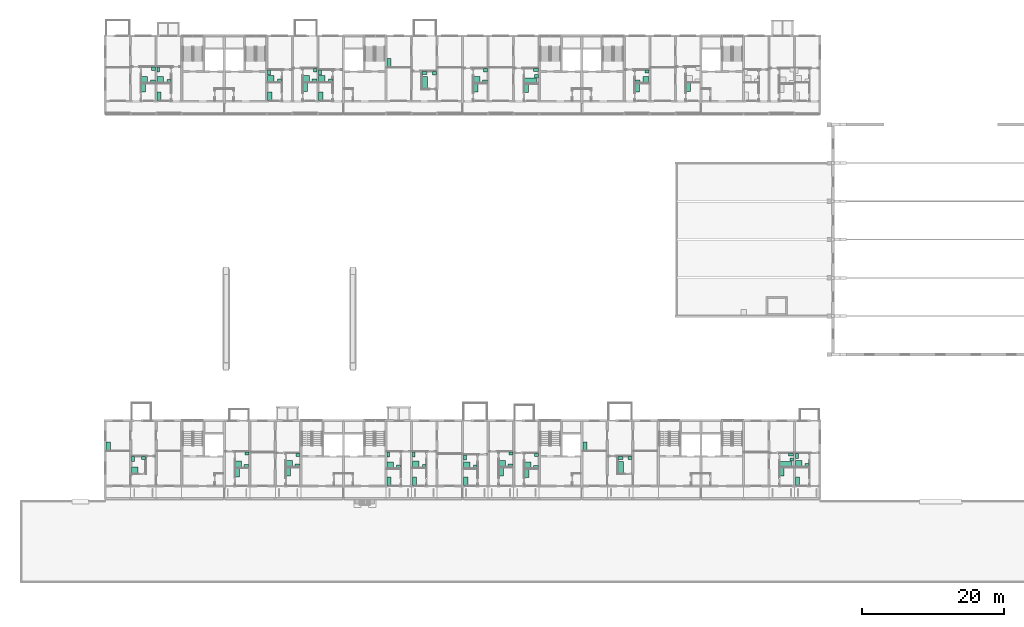
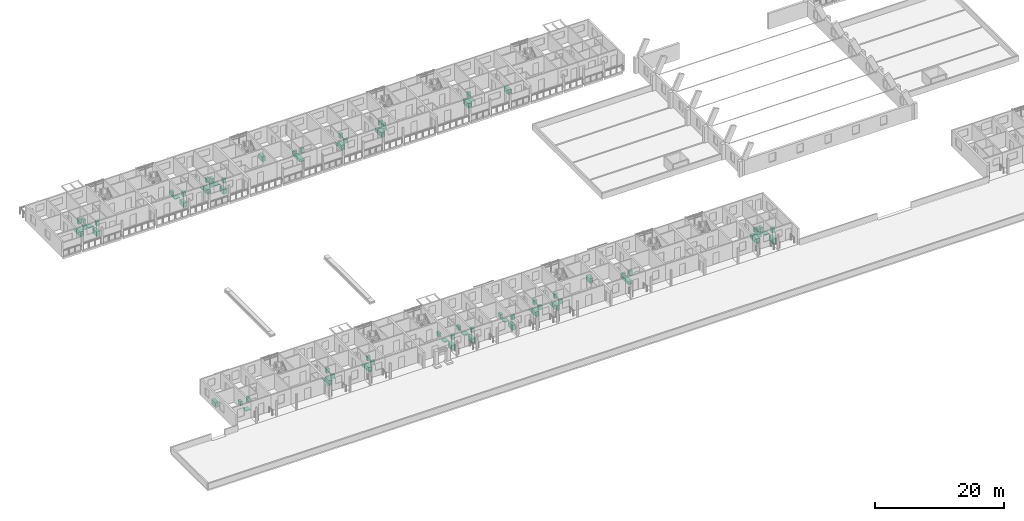
# One storey, part 113 of 115: 81 sanitary terminals.
"""IFC4 building model written with IfcOpenShell, lengths in metres."""

import ifcopenshell
import ifcopenshell.guid

model = None  # the IFC model being written
_history = None  # IfcOwnerHistory: only IFC2X3 demands one
_inside = {}  # id of a spatial element -> (the spatial element, [elements in it])
_under = {}  # id of a project, library or spatial element -> (it, [spatial elements below it])
_declared = {}  # id of a project -> (the project, [libraries it declares])
_typed = {}  # id of a type object -> (the type object, [elements of that type])
_made_of = {}  # id of a material, layer set ... -> (it, [elements and type objects made of it])


def new_model(schema):
    """Start an empty IFC model of exactly this schema.

    Asked for "IFC4X3", IfcOpenShell would pick the latest addendum, in which some entities
    have other attributes; the version numbers below select the first issue.
    IFC2X3 requires an IfcOwnerHistory on every rooted entity: one is made here for all.
    """
    global model, _history
    if schema == "IFC4X3":
        model = ifcopenshell.file(schema_version=(4, 3, 0, 0))
    else:
        model = ifcopenshell.file(schema=schema)
    _inside.clear()
    _under.clear()
    _declared.clear()
    _typed.clear()
    _made_of.clear()
    _history = None
    if model.schema == "IFC2X3":
        org = make("IfcOrganization", Name="unknown")
        user = make(
            "IfcPersonAndOrganization",
            ThePerson=make("IfcPerson", FamilyName="unknown"),
            TheOrganization=org,
        )
        app = make(
            "IfcApplication",
            ApplicationDeveloper=org,
            Version="unknown",
            ApplicationFullName="unknown",
            ApplicationIdentifier="unknown",
        )
        _history = make(
            "IfcOwnerHistory",
            OwningUser=user,
            OwningApplication=app,
            ChangeAction="ADDED",
            CreationDate=0,
        )
    return model


def make(cls, **values):
    """One entity of the class cls with the attributes given. An attribute that is None is left unset."""
    return model.create_entity(
        cls, **{name: value for name, value in values.items() if value is not None}
    )


def rooted(cls, **values):
    """An entity with a GlobalId (a new one), such as an element, a storey or a relation."""
    return make(cls, GlobalId=ifcopenshell.guid.new(), OwnerHistory=_history, **values)


def si_unit(unit_type, name, prefix=None):
    """IfcSIUnit, for example si_unit("LENGTHUNIT", "METRE", prefix="MILLI")."""
    return make("IfcSIUnit", UnitType=unit_type, Prefix=prefix, Name=name)


def assignment(units):
    """IfcUnitAssignment: the units of a project."""
    return None if units is None else make("IfcUnitAssignment", Units=units)


def point(xyz):
    """IfcCartesianPoint."""
    return None if xyz is None else make("IfcCartesianPoint", Coordinates=xyz)


def direction(xyz):
    """IfcDirection."""
    return None if xyz is None else make("IfcDirection", DirectionRatios=xyz)


def frame(location, z_axis=None, x_axis=None):
    """IfcAxis2Placement3D, a coordinate frame: its origin and axes. An axis left out is left unset."""
    return make(
        "IfcAxis2Placement3D",
        Location=point(location),
        Axis=direction(z_axis),
        RefDirection=direction(x_axis),
    )


def frame_2d(location, x_axis=None):
    """IfcAxis2Placement2D, a coordinate frame in the plane: its origin and x axis."""
    return make(
        "IfcAxis2Placement2D", Location=point(location), RefDirection=direction(x_axis)
    )


def origin():
    """The frame at (0, 0, 0) with its axes left unset."""
    return frame((0.0, 0.0, 0.0))


def origin_2d():
    """The frame at (0, 0) in the plane with its x axis left unset."""
    return frame_2d((0.0, 0.0))


def place(relative_to, where):
    """IfcLocalPlacement: puts the frame where relative to a parent placement (None: the world)."""
    return make(
        "IfcLocalPlacement", PlacementRelTo=relative_to, RelativePlacement=where
    )


def context(
    kind, dimensions, precision=None, world=None, true_north=None, identifier=None
):
    """IfcGeometricRepresentationContext, for example the 3D "Model" context."""
    return make(
        "IfcGeometricRepresentationContext",
        ContextIdentifier=identifier,
        ContextType=kind,
        CoordinateSpaceDimension=dimensions,
        Precision=precision,
        WorldCoordinateSystem=world,
        TrueNorth=true_north,
    )


def subcontext(parent, identifier, kind, view, scale=None):
    """IfcGeometricRepresentationSubContext, for example "Body" below "Model"."""
    return make(
        "IfcGeometricRepresentationSubContext",
        ContextIdentifier=identifier,
        ContextType=kind,
        ParentContext=parent,
        TargetScale=scale,
        TargetView=view,
    )


def project(units=None, contexts=None):
    """IfcProject with its units and contexts."""
    return rooted(
        "IfcProject",
        Name="project",
        RepresentationContexts=contexts,
        UnitsInContext=assignment(units),
    )


def spatial(cls, under=None, at=None, **own):
    """A site, building, storey or space (cls), placed at a placement, below another one or the project."""
    s = rooted(cls, ObjectPlacement=at, **own)
    if under is not None:
        _under.setdefault(under.id(), (under, []))[1].append(s)
    return s


def profile(cls, at=None, kind="AREA", **sizes):
    """A parametric profile (cls). Its sizes go by their IFC names, for example OverallWidth=200.0."""
    return make(cls, ProfileType=kind, Position=at, **sizes)


def rectangle(**sizes):
    """IfcRectangleProfileDef."""
    return profile("IfcRectangleProfileDef", **sizes)


def extrude(swept, where, along, depth):
    """IfcExtrudedAreaSolid: the profile swept, set in the frame where, extruded along a direction by depth."""
    return make(
        "IfcExtrudedAreaSolid",
        SweptArea=swept,
        Position=where,
        ExtrudedDirection=direction(along),
        Depth=depth,
    )


def shape(context_of_items, identifier, shape_type, items):
    """IfcShapeRepresentation: the items that make up one representation, for example the "Body"."""
    return make(
        "IfcShapeRepresentation",
        ContextOfItems=context_of_items,
        RepresentationIdentifier=identifier,
        RepresentationType=shape_type,
        Items=items,
    )


def made_of(thing, what):
    """Note that an element or type object is made of a material, layer set ...; save() writes the relation."""
    if what is not None:
        _made_of.setdefault(what.id(), (what, []))[1].append(thing)
    return thing


def element(
    cls,
    number,
    at=None,
    inside=None,
    cuts=None,
    type_object=None,
    material=None,
    context=None,
    identifier="Body",
    shape_type=None,
    held_by="IfcProductDefinitionShape",
    body=None,
    shapes=None,
    **own,
):
    """One element of the class cls, such as IfcWall. Its Tag is "e" and its number.

    at: its placement. inside: the storey or other place that contains it. cuts: it is an
    opening in that element (IfcRelVoidsElement). A single representation is given by context,
    identifier, shape_type and body (its items); several are given by shapes. held_by: the class
    of the entity that holds the representations. save() writes the other relations.
    """
    e = rooted(cls, Tag="e%d" % number, ObjectPlacement=at, **own)
    if body is not None:
        shapes = [shape(context, identifier, shape_type, body)]
    if shapes is not None:
        e.Representation = make(held_by, Representations=shapes)
    if inside is not None:
        _inside.setdefault(inside.id(), (inside, []))[1].append(e)
    if cuts is not None:
        rooted(
            "IfcRelVoidsElement", RelatingBuildingElement=cuts, RelatedOpeningElement=e
        )
    if type_object is not None:
        _typed.setdefault(type_object.id(), (type_object, []))[1].append(e)
    return made_of(e, material)


def aggregate(whole, parts):
    """IfcRelAggregates: a whole, such as a stair, and the parts it consists of."""
    return rooted("IfcRelAggregates", RelatingObject=whole, RelatedObjects=parts)


def save(model, path):
    """Write the relations noted so far, then the file.

    IfcRelAggregates (storeys below a building ...), IfcRelContainedInSpatialStructure (elements
    in a storey), IfcRelDefinesByType, IfcRelAssociatesMaterial and IfcRelDeclares: one each for
    every whole, place, type object, material and project.
    """
    for whole, parts in _under.values():
        aggregate(whole, parts)
    for where, things in _inside.values():
        rooted(
            "IfcRelContainedInSpatialStructure",
            RelatedElements=things,
            RelatingStructure=where,
        )
    for kind, things in _typed.values():
        rooted("IfcRelDefinesByType", RelatedObjects=things, RelatingType=kind)
    for what, things in _made_of.values():
        rooted("IfcRelAssociatesMaterial", RelatedObjects=things, RelatingMaterial=what)
    for by, libraries in _declared.values():
        rooted("IfcRelDeclares", RelatingContext=by, RelatedDefinitions=libraries)
    model.write(path)


model = new_model("IFC4")

# Units and contexts
model_context = context("Model", 3, precision=1e-05, world=origin(), true_north=direction((0.0, 1.0)))
body_context = subcontext(model_context, "Body", "Model", "MODEL_VIEW")
ifc_project = project(units=[si_unit("LENGTHUNIT", "METRE"), si_unit("AREAUNIT", "SQUARE_METRE"), si_unit("VOLUMEUNIT", "CUBIC_METRE"), si_unit("PLANEANGLEUNIT", "RADIAN"), si_unit("MASSUNIT", "GRAM", prefix="KILO")], contexts=[model_context])

# Site, building, storey
site_placement = place(None, origin())
site = spatial("IfcSite", under=ifc_project, at=site_placement, CompositionType="ELEMENT")
building_placement = place(site_placement, origin())
building = spatial("IfcBuilding", under=site, at=building_placement, Name="Ridgestep Commons", CompositionType="ELEMENT")
storey_placement = place(building_placement, frame((0.0, 0.0, 6.0)))
storey = spatial("IfcBuildingStorey", under=building, at=storey_placement, Name="L02", CompositionType="ELEMENT", Elevation=6.0)

# Sanitary terminals
sanitary_terminal_1_placement = place(storey_placement, frame((16.175048828125, 15.860107421875, 0.0), z_axis=(0.0, 0.0, 1.0), x_axis=(1.0, 0.0, 0.0)))
element("IfcSanitaryTerminal", 1, at=sanitary_terminal_1_placement, inside=storey, Name="Shower tray A1-02a", PredefinedType="SHOWER", context=body_context, shape_type="SweptSolid", body=[
    extrude(rectangle(XDim=0.89990234375, YDim=0.89990234375, at=origin_2d()), origin(), (0.0, 0.0, 1.0), 0.10009765625),
])
sanitary_terminal_2_placement = place(storey_placement, frame((15.925048828125, 17.4599609375, 0.0), z_axis=(0.0, 0.0, 1.0), x_axis=(1.0, 0.0, 0.0)))
element("IfcSanitaryTerminal", 2, at=sanitary_terminal_2_placement, inside=storey, Name="WC A1-02a", PredefinedType="TOILETPAN", context=body_context, shape_type="SweptSolid", body=[
    extrude(rectangle(XDim=0.39990234375, YDim=0.699951171875, at=origin_2d()), origin(), (0.0, 0.0, 1.0), 0.800048828125),
])
sanitary_terminal_3_placement = place(storey_placement, frame((17.389892578125, 17.5849609375, 0.0), z_axis=(0.0, 0.0, 1.0), x_axis=(1.0, 0.0, 0.0)))
element("IfcSanitaryTerminal", 3, at=sanitary_terminal_3_placement, inside=storey, Name="Basin A1-02a", PredefinedType="WASHHANDBASIN", context=body_context, shape_type="SweptSolid", body=[
    extrude(rectangle(XDim=0.550048828125, YDim=0.449951171875, at=origin_2d()), origin(), (0.0, 0.0, 1.0), 0.85009765625),
])
sanitary_terminal_4_placement = place(storey_placement, frame((12.449951171875, 19.260009765625, 0.0), z_axis=(0.0, 0.0, 1.0), x_axis=(1.0, 0.0, 0.0)))
element("IfcSanitaryTerminal", 4, at=sanitary_terminal_4_placement, inside=storey, Name="Kitchen sink A1-02a", PredefinedType="SINK", context=body_context, shape_type="SweptSolid", body=[
    extrude(rectangle(XDim=0.60009765625, YDim=1.199951171875, at=origin_2d()), origin(), (0.0, 0.0, 1.0), 0.89990234375),
])
sanitary_terminal_5_placement = place(storey_placement, frame((30.81005859375, 16.7099609375, 0.0), z_axis=(0.0, 0.0, 1.0), x_axis=(1.0, 0.0, 0.0)))
element("IfcSanitaryTerminal", 5, at=sanitary_terminal_5_placement, inside=storey, Name="Shower tray A2-02a", PredefinedType="SHOWER", context=body_context, shape_type="SweptSolid", body=[
    extrude(rectangle(XDim=0.89990234375, YDim=0.89990234375, at=origin_2d()), origin(), (0.0, 0.0, 1.0), 0.10009765625),
])
sanitary_terminal_6_placement = place(storey_placement, frame((31.925048828125, 16.4599609375, 0.0), z_axis=(0.0, 0.0, 1.0), x_axis=(1.0, 0.0, 0.0)))
element("IfcSanitaryTerminal", 6, at=sanitary_terminal_6_placement, inside=storey, Name="WC A2-02a", PredefinedType="TOILETPAN", context=body_context, shape_type="SweptSolid", body=[
    extrude(rectangle(XDim=0.699951171875, YDim=0.39990234375, at=origin_2d()), origin(), (0.0, 0.0, 1.0), 0.800048828125),
])
sanitary_terminal_7_placement = place(storey_placement, frame((32.0, 18.22509765625, 0.0), z_axis=(0.0, 0.0, 1.0), x_axis=(1.0, 0.0, 0.0)))
element("IfcSanitaryTerminal", 7, at=sanitary_terminal_7_placement, inside=storey, Name="Basin A2-02a", PredefinedType="WASHHANDBASIN", context=body_context, shape_type="SweptSolid", body=[
    extrude(rectangle(XDim=0.550048828125, YDim=0.449951171875, at=origin_2d()), origin(), (0.0, 0.0, 1.0), 0.85009765625),
])
sanitary_terminal_8_placement = place(storey_placement, frame((30.659912109375, 15.550048828125, 0.0), z_axis=(0.0, 0.0, 1.0), x_axis=(1.0, 0.0, 0.0)))
element("IfcSanitaryTerminal", 8, at=sanitary_terminal_8_placement, inside=storey, Name="Kitchen sink A2-02a", PredefinedType="SINK", context=body_context, shape_type="SweptSolid", body=[
    extrude(rectangle(XDim=0.60009765625, YDim=1.199951171875, at=origin_2d()), origin(), (0.0, 0.0, 1.0), 0.89990234375),
])
sanitary_terminal_9_placement = place(storey_placement, frame((37.985107421875, 16.81005859375, 0.0), z_axis=(0.0, 0.0, 1.0), x_axis=(1.0, 0.0, 0.0)))
element("IfcSanitaryTerminal", 9, at=sanitary_terminal_9_placement, inside=storey, Name="Shower tray A2-02b", PredefinedType="SHOWER", context=body_context, shape_type="SweptSolid", body=[
    extrude(rectangle(XDim=0.89990234375, YDim=0.89990234375, at=origin_2d()), origin(), (0.0, 0.0, 1.0), 0.10009765625),
])
sanitary_terminal_10_placement = place(storey_placement, frame((39.125, 16.56005859375, 0.0), z_axis=(0.0, 0.0, 1.0), x_axis=(1.0, 0.0, 0.0)))
element("IfcSanitaryTerminal", 10, at=sanitary_terminal_10_placement, inside=storey, Name="WC A2-02b", PredefinedType="TOILETPAN", context=body_context, shape_type="SweptSolid", body=[
    extrude(rectangle(XDim=0.699951171875, YDim=0.39990234375, at=origin_2d()), origin(), (0.0, 0.0, 1.0), 0.800048828125),
])
sanitary_terminal_11_placement = place(storey_placement, frame((39.199951171875, 18.02490234375, 0.0), z_axis=(0.0, 0.0, 1.0), x_axis=(1.0, 0.0, 0.0)))
element("IfcSanitaryTerminal", 11, at=sanitary_terminal_11_placement, inside=storey, Name="Basin A2-02b", PredefinedType="WASHHANDBASIN", context=body_context, shape_type="SweptSolid", body=[
    extrude(rectangle(XDim=0.550048828125, YDim=0.449951171875, at=origin_2d()), origin(), (0.0, 0.0, 1.0), 0.85009765625),
])
sanitary_terminal_12_placement = place(storey_placement, frame((37.8349609375, 15.64990234375, 0.0), z_axis=(0.0, 0.0, 1.0), x_axis=(1.0, 0.0, 0.0)))
element("IfcSanitaryTerminal", 12, at=sanitary_terminal_12_placement, inside=storey, Name="Kitchen sink A2-02b", PredefinedType="SINK", context=body_context, shape_type="SweptSolid", body=[
    extrude(rectangle(XDim=0.60009765625, YDim=1.199951171875, at=origin_2d()), origin(), (0.0, 0.0, 1.0), 0.89990234375),
])
sanitary_terminal_13_placement = place(storey_placement, frame((55.77490234375, 16.7099609375, 0.0), z_axis=(0.0, 0.0, 1.0), x_axis=(1.0, 0.0, 0.0)))
element("IfcSanitaryTerminal", 13, at=sanitary_terminal_13_placement, inside=storey, Name="Shower tray A3-02a", PredefinedType="SHOWER", context=body_context, shape_type="SweptSolid", body=[
    extrude(rectangle(XDim=0.89990234375, YDim=0.89990234375, at=origin_2d()), origin(), (0.0, 0.0, 1.0), 0.10009765625),
])
sanitary_terminal_14_placement = place(storey_placement, frame((55.52490234375, 18.10009765625, 0.0), z_axis=(0.0, 0.0, 1.0), x_axis=(1.0, 0.0, 0.0)))
element("IfcSanitaryTerminal", 14, at=sanitary_terminal_14_placement, inside=storey, Name="WC A3-02a", PredefinedType="TOILETPAN", context=body_context, shape_type="SweptSolid", body=[
    extrude(rectangle(XDim=0.39990234375, YDim=0.699951171875, at=origin_2d()), origin(), (0.0, 0.0, 1.0), 0.800048828125),
])
sanitary_terminal_15_placement = place(storey_placement, frame((56.989990234375, 16.485107421875, 0.0), z_axis=(0.0, 0.0, 1.0), x_axis=(1.0, 0.0, 0.0)))
element("IfcSanitaryTerminal", 15, at=sanitary_terminal_15_placement, inside=storey, Name="Basin A3-02a", PredefinedType="WASHHANDBASIN", context=body_context, shape_type="SweptSolid", body=[
    extrude(rectangle(XDim=0.550048828125, YDim=0.449951171875, at=origin_2d()), origin(), (0.0, 0.0, 1.0), 0.85009765625),
])
sanitary_terminal_16_placement = place(storey_placement, frame((55.625, 14.35009765625, 0.0), z_axis=(0.0, 0.0, 1.0), x_axis=(1.0, 0.0, 0.0)))
element("IfcSanitaryTerminal", 16, at=sanitary_terminal_16_placement, inside=storey, Name="Kitchen sink A3-02a", PredefinedType="SINK", context=body_context, shape_type="SweptSolid", body=[
    extrude(rectangle(XDim=0.60009765625, YDim=1.199951171875, at=origin_2d()), origin(), (0.0, 0.0, 1.0), 0.89990234375),
])
sanitary_terminal_17_placement = place(storey_placement, frame((52.175048828125, 16.610107421875, 0.0), z_axis=(0.0, 0.0, 1.0), x_axis=(1.0, 0.0, 0.0)))
element("IfcSanitaryTerminal", 17, at=sanitary_terminal_17_placement, inside=storey, Name="Shower tray A3-02b", PredefinedType="SHOWER", context=body_context, shape_type="SweptSolid", body=[
    extrude(rectangle(XDim=0.89990234375, YDim=0.89990234375, at=origin_2d()), origin(), (0.0, 0.0, 1.0), 0.10009765625),
])
sanitary_terminal_18_placement = place(storey_placement, frame((51.925048828125, 18.10009765625, 0.0), z_axis=(0.0, 0.0, 1.0), x_axis=(1.0, 0.0, 0.0)))
element("IfcSanitaryTerminal", 18, at=sanitary_terminal_18_placement, inside=storey, Name="WC A3-02b", PredefinedType="TOILETPAN", context=body_context, shape_type="SweptSolid", body=[
    extrude(rectangle(XDim=0.39990234375, YDim=0.699951171875, at=origin_2d()), origin(), (0.0, 0.0, 1.0), 0.800048828125),
])
sanitary_terminal_19_placement = place(storey_placement, frame((53.389892578125, 16.385009765625, 0.0), z_axis=(0.0, 0.0, 1.0), x_axis=(1.0, 0.0, 0.0)))
element("IfcSanitaryTerminal", 19, at=sanitary_terminal_19_placement, inside=storey, Name="Basin A3-02b", PredefinedType="WASHHANDBASIN", context=body_context, shape_type="SweptSolid", body=[
    extrude(rectangle(XDim=0.550048828125, YDim=0.449951171875, at=origin_2d()), origin(), (0.0, 0.0, 1.0), 0.85009765625),
])
sanitary_terminal_20_placement = place(storey_placement, frame((52.02490234375, 14.35009765625, 0.0), z_axis=(0.0, 0.0, 1.0), x_axis=(1.0, 0.0, 0.0)))
element("IfcSanitaryTerminal", 20, at=sanitary_terminal_20_placement, inside=storey, Name="Kitchen sink A3-02b", PredefinedType="SINK", context=body_context, shape_type="SweptSolid", body=[
    extrude(rectangle(XDim=0.60009765625, YDim=1.199951171875, at=origin_2d()), origin(), (0.0, 0.0, 1.0), 0.89990234375),
])
sanitary_terminal_21_placement = place(storey_placement, frame((63.0, 16.610107421875, 0.0), z_axis=(0.0, 0.0, 1.0), x_axis=(1.0, 0.0, 0.0)))
element("IfcSanitaryTerminal", 21, at=sanitary_terminal_21_placement, inside=storey, Name="Shower tray A4-02a", PredefinedType="SHOWER", context=body_context, shape_type="SweptSolid", body=[
    extrude(rectangle(XDim=0.89990234375, YDim=0.89990234375, at=origin_2d()), origin(), (0.0, 0.0, 1.0), 0.10009765625),
])
sanitary_terminal_22_placement = place(storey_placement, frame((62.75, 17.699951171875, 0.0), z_axis=(0.0, 0.0, 1.0), x_axis=(1.0, 0.0, 0.0)))
element("IfcSanitaryTerminal", 22, at=sanitary_terminal_22_placement, inside=storey, Name="WC A4-02a", PredefinedType="TOILETPAN", context=body_context, shape_type="SweptSolid", body=[
    extrude(rectangle(XDim=0.39990234375, YDim=0.699951171875, at=origin_2d()), origin(), (0.0, 0.0, 1.0), 0.800048828125),
])
sanitary_terminal_23_placement = place(storey_placement, frame((64.18994140625, 16.385009765625, 0.0), z_axis=(0.0, 0.0, 1.0), x_axis=(1.0, 0.0, 0.0)))
element("IfcSanitaryTerminal", 23, at=sanitary_terminal_23_placement, inside=storey, Name="Basin A4-02a", PredefinedType="WASHHANDBASIN", context=body_context, shape_type="SweptSolid", body=[
    extrude(rectangle(XDim=0.550048828125, YDim=0.449951171875, at=origin_2d()), origin(), (0.0, 0.0, 1.0), 0.85009765625),
])
sanitary_terminal_24_placement = place(storey_placement, frame((62.85009765625, 14.35009765625, 0.0), z_axis=(0.0, 0.0, 1.0), x_axis=(1.0, 0.0, 0.0)))
element("IfcSanitaryTerminal", 24, at=sanitary_terminal_24_placement, inside=storey, Name="Kitchen sink A4-02a", PredefinedType="SINK", context=body_context, shape_type="SweptSolid", body=[
    extrude(rectangle(XDim=0.60009765625, YDim=1.199951171875, at=origin_2d()), origin(), (0.0, 0.0, 1.0), 0.89990234375),
])
sanitary_terminal_25_placement = place(storey_placement, frame((67.985107421875, 16.81005859375, 0.0), z_axis=(0.0, 0.0, 1.0), x_axis=(1.0, 0.0, 0.0)))
element("IfcSanitaryTerminal", 25, at=sanitary_terminal_25_placement, inside=storey, Name="Shower tray A4-02b", PredefinedType="SHOWER", context=body_context, shape_type="SweptSolid", body=[
    extrude(rectangle(XDim=0.89990234375, YDim=0.89990234375, at=origin_2d()), origin(), (0.0, 0.0, 1.0), 0.10009765625),
])
sanitary_terminal_26_placement = place(storey_placement, frame((69.125, 16.56005859375, 0.0), z_axis=(0.0, 0.0, 1.0), x_axis=(1.0, 0.0, 0.0)))
element("IfcSanitaryTerminal", 26, at=sanitary_terminal_26_placement, inside=storey, Name="WC A4-02b", PredefinedType="TOILETPAN", context=body_context, shape_type="SweptSolid", body=[
    extrude(rectangle(XDim=0.699951171875, YDim=0.39990234375, at=origin_2d()), origin(), (0.0, 0.0, 1.0), 0.800048828125),
])
sanitary_terminal_27_placement = place(storey_placement, frame((69.199951171875, 18.22509765625, 0.0), z_axis=(0.0, 0.0, 1.0), x_axis=(1.0, 0.0, 0.0)))
element("IfcSanitaryTerminal", 27, at=sanitary_terminal_27_placement, inside=storey, Name="Basin A4-02b", PredefinedType="WASHHANDBASIN", context=body_context, shape_type="SweptSolid", body=[
    extrude(rectangle(XDim=0.550048828125, YDim=0.449951171875, at=origin_2d()), origin(), (0.0, 0.0, 1.0), 0.85009765625),
])
sanitary_terminal_28_placement = place(storey_placement, frame((67.8349609375, 15.64990234375, 0.0), z_axis=(0.0, 0.0, 1.0), x_axis=(1.0, 0.0, 0.0)))
element("IfcSanitaryTerminal", 28, at=sanitary_terminal_28_placement, inside=storey, Name="Kitchen sink A4-02b", PredefinedType="SINK", context=body_context, shape_type="SweptSolid", body=[
    extrude(rectangle(XDim=0.60009765625, YDim=1.199951171875, at=origin_2d()), origin(), (0.0, 0.0, 1.0), 0.89990234375),
])
sanitary_terminal_29_placement = place(storey_placement, frame((71.5849609375, 16.610107421875, 0.0), z_axis=(0.0, 0.0, 1.0), x_axis=(1.0, 0.0, 0.0)))
element("IfcSanitaryTerminal", 29, at=sanitary_terminal_29_placement, inside=storey, Name="Shower tray A4-02c", PredefinedType="SHOWER", context=body_context, shape_type="SweptSolid", body=[
    extrude(rectangle(XDim=0.89990234375, YDim=0.89990234375, at=origin_2d()), origin(), (0.0, 0.0, 1.0), 0.10009765625),
])
sanitary_terminal_30_placement = place(storey_placement, frame((72.72509765625, 16.360107421875, 0.0), z_axis=(0.0, 0.0, 1.0), x_axis=(1.0, 0.0, 0.0)))
element("IfcSanitaryTerminal", 30, at=sanitary_terminal_30_placement, inside=storey, Name="WC A4-02c", PredefinedType="TOILETPAN", context=body_context, shape_type="SweptSolid", body=[
    extrude(rectangle(XDim=0.699951171875, YDim=0.39990234375, at=origin_2d()), origin(), (0.0, 0.0, 1.0), 0.800048828125),
])
sanitary_terminal_31_placement = place(storey_placement, frame((72.800048828125, 18.02490234375, 0.0), z_axis=(0.0, 0.0, 1.0), x_axis=(1.0, 0.0, 0.0)))
element("IfcSanitaryTerminal", 31, at=sanitary_terminal_31_placement, inside=storey, Name="Basin A4-02c", PredefinedType="WASHHANDBASIN", context=body_context, shape_type="SweptSolid", body=[
    extrude(rectangle(XDim=0.550048828125, YDim=0.449951171875, at=origin_2d()), origin(), (0.0, 0.0, 1.0), 0.85009765625),
])
sanitary_terminal_32_placement = place(storey_placement, frame((71.43505859375, 15.449951171875, 0.0), z_axis=(0.0, 0.0, 1.0), x_axis=(1.0, 0.0, 0.0)))
element("IfcSanitaryTerminal", 32, at=sanitary_terminal_32_placement, inside=storey, Name="Kitchen sink A4-02c", PredefinedType="SINK", context=body_context, shape_type="SweptSolid", body=[
    extrude(rectangle(XDim=0.60009765625, YDim=1.199951171875, at=origin_2d()), origin(), (0.0, 0.0, 1.0), 0.89990234375),
])
sanitary_terminal_33_placement = place(storey_placement, frame((84.7099609375, 16.260009765625, 0.0), z_axis=(0.0, 0.0, 1.0), x_axis=(1.0, 0.0, 0.0)))
element("IfcSanitaryTerminal", 33, at=sanitary_terminal_33_placement, inside=storey, Name="Bath A5-02a", PredefinedType="BATH", context=body_context, shape_type="SweptSolid", body=[
    extrude(rectangle(XDim=0.75, YDim=1.699951171875, at=origin_2d()), origin(), (0.0, 0.0, 1.0), 0.550048828125),
])
sanitary_terminal_34_placement = place(storey_placement, frame((84.68505859375, 17.610107421875, 0.0), z_axis=(0.0, 0.0, 1.0), x_axis=(1.0, 0.0, 0.0)))
element("IfcSanitaryTerminal", 34, at=sanitary_terminal_34_placement, inside=storey, Name="WC A5-02a", PredefinedType="TOILETPAN", context=body_context, shape_type="SweptSolid", body=[
    extrude(rectangle(XDim=0.699951171875, YDim=0.39990234375, at=origin_2d()), origin(), (0.0, 0.0, 1.0), 0.800048828125),
])
sanitary_terminal_35_placement = place(storey_placement, frame((86.0, 17.5849609375, 0.0), z_axis=(0.0, 0.0, 1.0), x_axis=(1.0, 0.0, 0.0)))
element("IfcSanitaryTerminal", 35, at=sanitary_terminal_35_placement, inside=storey, Name="Basin A5-02a", PredefinedType="WASHHANDBASIN", context=body_context, shape_type="SweptSolid", body=[
    extrude(rectangle(XDim=0.550048828125, YDim=0.449951171875, at=origin_2d()), origin(), (0.0, 0.0, 1.0), 0.85009765625),
])
sanitary_terminal_36_placement = place(storey_placement, frame((79.64990234375, 19.260009765625, 0.0), z_axis=(0.0, 0.0, 1.0), x_axis=(1.0, 0.0, 0.0)))
element("IfcSanitaryTerminal", 36, at=sanitary_terminal_36_placement, inside=storey, Name="Kitchen sink A5-02a", PredefinedType="SINK", context=body_context, shape_type="SweptSolid", body=[
    extrude(rectangle(XDim=0.60009765625, YDim=1.199951171875, at=origin_2d()), origin(), (0.0, 0.0, 1.0), 0.89990234375),
])
sanitary_terminal_37_placement = place(storey_placement, frame((109.77490234375, 16.81005859375, 0.0), z_axis=(0.0, 0.0, 1.0), x_axis=(1.0, 0.0, 0.0)))
element("IfcSanitaryTerminal", 37, at=sanitary_terminal_37_placement, inside=storey, Name="Shower tray A6-02a", PredefinedType="SHOWER", context=body_context, shape_type="SweptSolid", body=[
    extrude(rectangle(XDim=0.89990234375, YDim=0.89990234375, at=origin_2d()), origin(), (0.0, 0.0, 1.0), 0.10009765625),
])
sanitary_terminal_38_placement = place(storey_placement, frame((109.52490234375, 17.89990234375, 0.0), z_axis=(0.0, 0.0, 1.0), x_axis=(1.0, 0.0, 0.0)))
element("IfcSanitaryTerminal", 38, at=sanitary_terminal_38_placement, inside=storey, Name="WC A6-02a", PredefinedType="TOILETPAN", context=body_context, shape_type="SweptSolid", body=[
    extrude(rectangle(XDim=0.39990234375, YDim=0.699951171875, at=origin_2d()), origin(), (0.0, 0.0, 1.0), 0.800048828125),
])
sanitary_terminal_39_placement = place(storey_placement, frame((110.965087890625, 16.5849609375, 0.0), z_axis=(0.0, 0.0, 1.0), x_axis=(1.0, 0.0, 0.0)))
element("IfcSanitaryTerminal", 39, at=sanitary_terminal_39_placement, inside=storey, Name="Basin A6-02a", PredefinedType="WASHHANDBASIN", context=body_context, shape_type="SweptSolid", body=[
    extrude(rectangle(XDim=0.550048828125, YDim=0.449951171875, at=origin_2d()), origin(), (0.0, 0.0, 1.0), 0.85009765625),
])
sanitary_terminal_40_placement = place(storey_placement, frame((109.625, 14.35009765625, 0.0), z_axis=(0.0, 0.0, 1.0), x_axis=(1.0, 0.0, 0.0)))
element("IfcSanitaryTerminal", 40, at=sanitary_terminal_40_placement, inside=storey, Name="Kitchen sink A6-02a", PredefinedType="SINK", context=body_context, shape_type="SweptSolid", body=[
    extrude(rectangle(XDim=0.60009765625, YDim=1.199951171875, at=origin_2d()), origin(), (0.0, 0.0, 1.0), 0.89990234375),
])
sanitary_terminal_41_placement = place(storey_placement, frame((107.985107421875, 16.735107421875, 0.0), z_axis=(0.0, 0.0, 1.0), x_axis=(1.0, 0.0, 0.0)))
element("IfcSanitaryTerminal", 41, at=sanitary_terminal_41_placement, inside=storey, Name="Bath A6-02b", PredefinedType="BATH", context=body_context, shape_type="SweptSolid", body=[
    extrude(rectangle(XDim=1.699951171875, YDim=0.75, at=origin_2d()), origin(), (0.0, 0.0, 1.0), 0.550048828125),
])
sanitary_terminal_42_placement = place(storey_placement, frame((108.72509765625, 18.050048828125, 0.0), z_axis=(0.0, 0.0, 1.0), x_axis=(1.0, 0.0, 0.0)))
element("IfcSanitaryTerminal", 42, at=sanitary_terminal_42_placement, inside=storey, Name="WC A6-02b", PredefinedType="TOILETPAN", context=body_context, shape_type="SweptSolid", body=[
    extrude(rectangle(XDim=0.699951171875, YDim=0.39990234375, at=origin_2d()), origin(), (0.0, 0.0, 1.0), 0.800048828125),
])
sanitary_terminal_43_placement = place(storey_placement, frame((108.800048828125, 17.385009765625, 0.0), z_axis=(0.0, 0.0, 1.0), x_axis=(1.0, 0.0, 0.0)))
element("IfcSanitaryTerminal", 43, at=sanitary_terminal_43_placement, inside=storey, Name="Basin A6-02b", PredefinedType="WASHHANDBASIN", context=body_context, shape_type="SweptSolid", body=[
    extrude(rectangle(XDim=0.550048828125, YDim=0.449951171875, at=origin_2d()), origin(), (0.0, 0.0, 1.0), 0.85009765625),
])
sanitary_terminal_44_placement = place(storey_placement, frame((107.43505859375, 15.64990234375, 0.0), z_axis=(0.0, 0.0, 1.0), x_axis=(1.0, 0.0, 0.0)))
element("IfcSanitaryTerminal", 44, at=sanitary_terminal_44_placement, inside=storey, Name="Kitchen sink A6-02b", PredefinedType="SINK", context=body_context, shape_type="SweptSolid", body=[
    extrude(rectangle(XDim=0.60009765625, YDim=1.199951171875, at=origin_2d()), origin(), (0.0, 0.0, 1.0), 0.89990234375),
])
sanitary_terminal_45_placement = place(storey_placement, frame((17.56005859375, 70.9599609375, 0.0), z_axis=(0.0, 0.0, 1.0), x_axis=(1.0, 0.0, 0.0)))
element("IfcSanitaryTerminal", 45, at=sanitary_terminal_45_placement, inside=storey, Name="Shower tray B1-02a", PredefinedType="SHOWER", context=body_context, shape_type="SweptSolid", body=[
    extrude(rectangle(XDim=0.89990234375, YDim=0.89990234375, at=origin_2d()), origin(), (0.0, 0.0, 1.0), 0.10009765625),
])
sanitary_terminal_46_placement = place(storey_placement, frame((18.75, 70.7099609375, 0.0), z_axis=(0.0, 0.0, 1.0), x_axis=(1.0, 0.0, 0.0)))
element("IfcSanitaryTerminal", 46, at=sanitary_terminal_46_placement, inside=storey, Name="WC B1-02a", PredefinedType="TOILETPAN", context=body_context, shape_type="SweptSolid", body=[
    extrude(rectangle(XDim=0.699951171875, YDim=0.39990234375, at=origin_2d()), origin(), (0.0, 0.0, 1.0), 0.800048828125),
])
sanitary_terminal_47_placement = place(storey_placement, frame((18.824951171875, 72.47509765625, 0.0), z_axis=(0.0, 0.0, 1.0), x_axis=(1.0, 0.0, 0.0)))
element("IfcSanitaryTerminal", 47, at=sanitary_terminal_47_placement, inside=storey, Name="Basin B1-02a", PredefinedType="WASHHANDBASIN", context=body_context, shape_type="SweptSolid", body=[
    extrude(rectangle(XDim=0.550048828125, YDim=0.449951171875, at=origin_2d()), origin(), (0.0, 0.0, 1.0), 0.85009765625),
])
sanitary_terminal_48_placement = place(storey_placement, frame((17.409912109375, 69.800048828125, 0.0), z_axis=(0.0, 0.0, 1.0), x_axis=(1.0, 0.0, 0.0)))
element("IfcSanitaryTerminal", 48, at=sanitary_terminal_48_placement, inside=storey, Name="Kitchen sink B1-02a", PredefinedType="SINK", context=body_context, shape_type="SweptSolid", body=[
    extrude(rectangle(XDim=0.60009765625, YDim=1.199951171875, at=origin_2d()), origin(), (0.0, 0.0, 1.0), 0.89990234375),
])
sanitary_terminal_49_placement = place(storey_placement, frame((19.75, 70.9599609375, 0.0), z_axis=(0.0, 0.0, 1.0), x_axis=(1.0, 0.0, 0.0)))
element("IfcSanitaryTerminal", 49, at=sanitary_terminal_49_placement, inside=storey, Name="Shower tray B1-02b", PredefinedType="SHOWER", context=body_context, shape_type="SweptSolid", body=[
    extrude(rectangle(XDim=0.89990234375, YDim=0.89990234375, at=origin_2d()), origin(), (0.0, 0.0, 1.0), 0.10009765625),
])
sanitary_terminal_50_placement = place(storey_placement, frame((19.5, 72.35009765625, 0.0), z_axis=(0.0, 0.0, 1.0), x_axis=(1.0, 0.0, 0.0)))
element("IfcSanitaryTerminal", 50, at=sanitary_terminal_50_placement, inside=storey, Name="WC B1-02b", PredefinedType="TOILETPAN", context=body_context, shape_type="SweptSolid", body=[
    extrude(rectangle(XDim=0.39990234375, YDim=0.699951171875, at=origin_2d()), origin(), (0.0, 0.0, 1.0), 0.800048828125),
])
sanitary_terminal_51_placement = place(storey_placement, frame((20.989990234375, 70.735107421875, 0.0), z_axis=(0.0, 0.0, 1.0), x_axis=(1.0, 0.0, 0.0)))
element("IfcSanitaryTerminal", 51, at=sanitary_terminal_51_placement, inside=storey, Name="Basin B1-02b", PredefinedType="WASHHANDBASIN", context=body_context, shape_type="SweptSolid", body=[
    extrude(rectangle(XDim=0.550048828125, YDim=0.449951171875, at=origin_2d()), origin(), (0.0, 0.0, 1.0), 0.85009765625),
])
sanitary_terminal_52_placement = place(storey_placement, frame((19.60009765625, 68.60009765625, 0.0), z_axis=(0.0, 0.0, 1.0), x_axis=(1.0, 0.0, 0.0)))
element("IfcSanitaryTerminal", 52, at=sanitary_terminal_52_placement, inside=storey, Name="Kitchen sink B1-02b", PredefinedType="SINK", context=body_context, shape_type="SweptSolid", body=[
    extrude(rectangle(XDim=0.60009765625, YDim=1.199951171875, at=origin_2d()), origin(), (0.0, 0.0, 1.0), 0.89990234375),
])
sanitary_terminal_53_placement = place(storey_placement, frame((42.550048828125, 71.06005859375, 0.0), z_axis=(0.0, 0.0, 1.0), x_axis=(1.0, 0.0, 0.0)))
element("IfcSanitaryTerminal", 53, at=sanitary_terminal_53_placement, inside=storey, Name="Shower tray B2-02a", PredefinedType="SHOWER", context=body_context, shape_type="SweptSolid", body=[
    extrude(rectangle(XDim=0.89990234375, YDim=0.89990234375, at=origin_2d()), origin(), (0.0, 0.0, 1.0), 0.10009765625),
])
sanitary_terminal_54_placement = place(storey_placement, frame((42.300048828125, 71.949951171875, 0.0), z_axis=(0.0, 0.0, 1.0), x_axis=(1.0, 0.0, 0.0)))
element("IfcSanitaryTerminal", 54, at=sanitary_terminal_54_placement, inside=storey, Name="WC B2-02a", PredefinedType="TOILETPAN", context=body_context, shape_type="SweptSolid", body=[
    extrude(rectangle(XDim=0.39990234375, YDim=0.699951171875, at=origin_2d()), origin(), (0.0, 0.0, 1.0), 0.800048828125),
])
sanitary_terminal_55_placement = place(storey_placement, frame((43.764892578125, 70.8349609375, 0.0), z_axis=(0.0, 0.0, 1.0), x_axis=(1.0, 0.0, 0.0)))
element("IfcSanitaryTerminal", 55, at=sanitary_terminal_55_placement, inside=storey, Name="Basin B2-02a", PredefinedType="WASHHANDBASIN", context=body_context, shape_type="SweptSolid", body=[
    extrude(rectangle(XDim=0.550048828125, YDim=0.449951171875, at=origin_2d()), origin(), (0.0, 0.0, 1.0), 0.85009765625),
])
sanitary_terminal_56_placement = place(storey_placement, frame((42.39990234375, 68.60009765625, 0.0), z_axis=(0.0, 0.0, 1.0), x_axis=(1.0, 0.0, 0.0)))
element("IfcSanitaryTerminal", 56, at=sanitary_terminal_56_placement, inside=storey, Name="Kitchen sink B2-02a", PredefinedType="SINK", context=body_context, shape_type="SweptSolid", body=[
    extrude(rectangle(XDim=0.60009765625, YDim=1.199951171875, at=origin_2d()), origin(), (0.0, 0.0, 1.0), 0.89990234375),
])
sanitary_terminal_57_placement = place(storey_placement, frame((40.360107421875, 71.06005859375, 0.0), z_axis=(0.0, 0.0, 1.0), x_axis=(1.0, 0.0, 0.0)))
element("IfcSanitaryTerminal", 57, at=sanitary_terminal_57_placement, inside=storey, Name="Shower tray B2-02b", PredefinedType="SHOWER", context=body_context, shape_type="SweptSolid", body=[
    extrude(rectangle(XDim=0.89990234375, YDim=0.89990234375, at=origin_2d()), origin(), (0.0, 0.0, 1.0), 0.10009765625),
])
sanitary_terminal_58_placement = place(storey_placement, frame((41.550048828125, 70.81005859375, 0.0), z_axis=(0.0, 0.0, 1.0), x_axis=(1.0, 0.0, 0.0)))
element("IfcSanitaryTerminal", 58, at=sanitary_terminal_58_placement, inside=storey, Name="WC B2-02b", PredefinedType="TOILETPAN", context=body_context, shape_type="SweptSolid", body=[
    extrude(rectangle(XDim=0.699951171875, YDim=0.39990234375, at=origin_2d()), origin(), (0.0, 0.0, 1.0), 0.800048828125),
])
sanitary_terminal_59_placement = place(storey_placement, frame((41.625, 72.27490234375, 0.0), z_axis=(0.0, 0.0, 1.0), x_axis=(1.0, 0.0, 0.0)))
element("IfcSanitaryTerminal", 59, at=sanitary_terminal_59_placement, inside=storey, Name="Basin B2-02b", PredefinedType="WASHHANDBASIN", context=body_context, shape_type="SweptSolid", body=[
    extrude(rectangle(XDim=0.550048828125, YDim=0.449951171875, at=origin_2d()), origin(), (0.0, 0.0, 1.0), 0.85009765625),
])
sanitary_terminal_60_placement = place(storey_placement, frame((40.2099609375, 69.89990234375, 0.0), z_axis=(0.0, 0.0, 1.0), x_axis=(1.0, 0.0, 0.0)))
element("IfcSanitaryTerminal", 60, at=sanitary_terminal_60_placement, inside=storey, Name="Kitchen sink B2-02b", PredefinedType="SINK", context=body_context, shape_type="SweptSolid", body=[
    extrude(rectangle(XDim=0.60009765625, YDim=1.199951171875, at=origin_2d()), origin(), (0.0, 0.0, 1.0), 0.89990234375),
])
sanitary_terminal_61_placement = place(storey_placement, frame((35.375, 71.06005859375, 0.0), z_axis=(0.0, 0.0, 1.0), x_axis=(1.0, 0.0, 0.0)))
element("IfcSanitaryTerminal", 61, at=sanitary_terminal_61_placement, inside=storey, Name="Shower tray B2-02c", PredefinedType="SHOWER", context=body_context, shape_type="SweptSolid", body=[
    extrude(rectangle(XDim=0.89990234375, YDim=0.89990234375, at=origin_2d()), origin(), (0.0, 0.0, 1.0), 0.10009765625),
])
sanitary_terminal_62_placement = place(storey_placement, frame((35.125, 71.949951171875, 0.0), z_axis=(0.0, 0.0, 1.0), x_axis=(1.0, 0.0, 0.0)))
element("IfcSanitaryTerminal", 62, at=sanitary_terminal_62_placement, inside=storey, Name="WC B2-02c", PredefinedType="TOILETPAN", context=body_context, shape_type="SweptSolid", body=[
    extrude(rectangle(XDim=0.39990234375, YDim=0.699951171875, at=origin_2d()), origin(), (0.0, 0.0, 1.0), 0.800048828125),
])
sanitary_terminal_63_placement = place(storey_placement, frame((36.614990234375, 70.8349609375, 0.0), z_axis=(0.0, 0.0, 1.0), x_axis=(1.0, 0.0, 0.0)))
element("IfcSanitaryTerminal", 63, at=sanitary_terminal_63_placement, inside=storey, Name="Basin B2-02c", PredefinedType="WASHHANDBASIN", context=body_context, shape_type="SweptSolid", body=[
    extrude(rectangle(XDim=0.550048828125, YDim=0.449951171875, at=origin_2d()), origin(), (0.0, 0.0, 1.0), 0.85009765625),
])
sanitary_terminal_64_placement = place(storey_placement, frame((35.22509765625, 68.60009765625, 0.0), z_axis=(0.0, 0.0, 1.0), x_axis=(1.0, 0.0, 0.0)))
element("IfcSanitaryTerminal", 64, at=sanitary_terminal_64_placement, inside=storey, Name="Kitchen sink B2-02c", PredefinedType="SINK", context=body_context, shape_type="SweptSolid", body=[
    extrude(rectangle(XDim=0.60009765625, YDim=1.199951171875, at=origin_2d()), origin(), (0.0, 0.0, 1.0), 0.89990234375),
])
sanitary_terminal_65_placement = place(storey_placement, frame((57.0849609375, 70.510009765625, 0.0), z_axis=(0.0, 0.0, 1.0), x_axis=(1.0, 0.0, 0.0)))
element("IfcSanitaryTerminal", 65, at=sanitary_terminal_65_placement, inside=storey, Name="Bath B3-02a", PredefinedType="BATH", context=body_context, shape_type="SweptSolid", body=[
    extrude(rectangle(XDim=0.75, YDim=1.699951171875, at=origin_2d()), origin(), (0.0, 0.0, 1.0), 0.550048828125),
])
sanitary_terminal_66_placement = place(storey_placement, frame((57.06005859375, 71.860107421875, 0.0), z_axis=(0.0, 0.0, 1.0), x_axis=(1.0, 0.0, 0.0)))
element("IfcSanitaryTerminal", 66, at=sanitary_terminal_66_placement, inside=storey, Name="WC B3-02a", PredefinedType="TOILETPAN", context=body_context, shape_type="SweptSolid", body=[
    extrude(rectangle(XDim=0.699951171875, YDim=0.39990234375, at=origin_2d()), origin(), (0.0, 0.0, 1.0), 0.800048828125),
])
sanitary_terminal_67_placement = place(storey_placement, frame((58.425048828125, 71.8349609375, 0.0), z_axis=(0.0, 0.0, 1.0), x_axis=(1.0, 0.0, 0.0)))
element("IfcSanitaryTerminal", 67, at=sanitary_terminal_67_placement, inside=storey, Name="Basin B3-02a", PredefinedType="WASHHANDBASIN", context=body_context, shape_type="SweptSolid", body=[
    extrude(rectangle(XDim=0.550048828125, YDim=0.449951171875, at=origin_2d()), origin(), (0.0, 0.0, 1.0), 0.85009765625),
])
sanitary_terminal_68_placement = place(storey_placement, frame((52.02490234375, 73.31005859375, 0.0), z_axis=(0.0, 0.0, 1.0), x_axis=(1.0, 0.0, 0.0)))
element("IfcSanitaryTerminal", 68, at=sanitary_terminal_68_placement, inside=storey, Name="Kitchen sink B3-02a", PredefinedType="SINK", context=body_context, shape_type="SweptSolid", body=[
    extrude(rectangle(XDim=0.60009765625, YDim=1.199951171875, at=origin_2d()), origin(), (0.0, 0.0, 1.0), 0.89990234375),
])
sanitary_terminal_69_placement = place(storey_placement, frame((64.409912109375, 70.9599609375, 0.0), z_axis=(0.0, 0.0, 1.0), x_axis=(1.0, 0.0, 0.0)))
element("IfcSanitaryTerminal", 69, at=sanitary_terminal_69_placement, inside=storey, Name="Shower tray B4-02a", PredefinedType="SHOWER", context=body_context, shape_type="SweptSolid", body=[
    extrude(rectangle(XDim=0.89990234375, YDim=0.89990234375, at=origin_2d()), origin(), (0.0, 0.0, 1.0), 0.10009765625),
])
sanitary_terminal_70_placement = place(storey_placement, frame((65.550048828125, 70.7099609375, 0.0), z_axis=(0.0, 0.0, 1.0), x_axis=(1.0, 0.0, 0.0)))
element("IfcSanitaryTerminal", 70, at=sanitary_terminal_70_placement, inside=storey, Name="WC B4-02a", PredefinedType="TOILETPAN", context=body_context, shape_type="SweptSolid", body=[
    extrude(rectangle(XDim=0.699951171875, YDim=0.39990234375, at=origin_2d()), origin(), (0.0, 0.0, 1.0), 0.800048828125),
])
sanitary_terminal_71_placement = place(storey_placement, frame((65.625, 72.27490234375, 0.0), z_axis=(0.0, 0.0, 1.0), x_axis=(1.0, 0.0, 0.0)))
element("IfcSanitaryTerminal", 71, at=sanitary_terminal_71_placement, inside=storey, Name="Basin B4-02a", PredefinedType="WASHHANDBASIN", context=body_context, shape_type="SweptSolid", body=[
    extrude(rectangle(XDim=0.550048828125, YDim=0.449951171875, at=origin_2d()), origin(), (0.0, 0.0, 1.0), 0.85009765625),
])
sanitary_terminal_72_placement = place(storey_placement, frame((64.260009765625, 69.800048828125, 0.0), z_axis=(0.0, 0.0, 1.0), x_axis=(1.0, 0.0, 0.0)))
element("IfcSanitaryTerminal", 72, at=sanitary_terminal_72_placement, inside=storey, Name="Kitchen sink B4-02a", PredefinedType="SINK", context=body_context, shape_type="SweptSolid", body=[
    extrude(rectangle(XDim=0.60009765625, YDim=1.199951171875, at=origin_2d()), origin(), (0.0, 0.0, 1.0), 0.89990234375),
])
sanitary_terminal_73_placement = place(storey_placement, frame((71.9599609375, 70.784912109375, 0.0), z_axis=(0.0, 0.0, 1.0), x_axis=(1.0, 0.0, 0.0)))
element("IfcSanitaryTerminal", 73, at=sanitary_terminal_73_placement, inside=storey, Name="Bath B4-02b", PredefinedType="BATH", context=body_context, shape_type="SweptSolid", body=[
    extrude(rectangle(XDim=1.699951171875, YDim=0.75, at=origin_2d()), origin(), (0.0, 0.0, 1.0), 0.550048828125),
])
sanitary_terminal_74_placement = place(storey_placement, frame((72.72509765625, 72.300048828125, 0.0), z_axis=(0.0, 0.0, 1.0), x_axis=(1.0, 0.0, 0.0)))
element("IfcSanitaryTerminal", 74, at=sanitary_terminal_74_placement, inside=storey, Name="WC B4-02b", PredefinedType="TOILETPAN", context=body_context, shape_type="SweptSolid", body=[
    extrude(rectangle(XDim=0.699951171875, YDim=0.39990234375, at=origin_2d()), origin(), (0.0, 0.0, 1.0), 0.800048828125),
])
sanitary_terminal_75_placement = place(storey_placement, frame((72.800048828125, 71.43505859375, 0.0), z_axis=(0.0, 0.0, 1.0), x_axis=(1.0, 0.0, 0.0)))
element("IfcSanitaryTerminal", 75, at=sanitary_terminal_75_placement, inside=storey, Name="Basin B4-02b", PredefinedType="WASHHANDBASIN", context=body_context, shape_type="SweptSolid", body=[
    extrude(rectangle(XDim=0.550048828125, YDim=0.449951171875, at=origin_2d()), origin(), (0.0, 0.0, 1.0), 0.85009765625),
])
for number, where, z_axis, x_axis, name in (
    (76, (71.409912109375, 69.699951171875, 0.0), (0.0, 0.0, 1.0), (1.0, 0.0, 0.0), "Kitchen sink B4-02b"),
    (77, (94.2099609375, 69.89990234375, 0.0), (0.0, 0.0, 1.0), (1.0, 0.0, 0.0), "Kitchen sink B5-02a"),
):
    element("IfcSanitaryTerminal", number, at=place(storey_placement, frame(where, z_axis=z_axis, x_axis=x_axis)), inside=storey, Name=name, PredefinedType="SINK", context=body_context, shape_type="SweptSolid", body=[
        extrude(rectangle(XDim=0.60009765625, YDim=1.199951171875, at=origin_2d()), origin(), (0.0, 0.0, 1.0), 0.89990234375),
    ])
sanitary_terminal_76_placement = place(storey_placement, frame((88.25, 70.9599609375, 0.0), z_axis=(0.0, 0.0, 1.0), x_axis=(1.0, 0.0, 0.0)))
element("IfcSanitaryTerminal", 78, at=sanitary_terminal_76_placement, inside=storey, Name="Shower tray B5-02b", PredefinedType="SHOWER", context=body_context, shape_type="SweptSolid", body=[
    extrude(rectangle(XDim=0.89990234375, YDim=0.89990234375, at=origin_2d()), origin(), (0.0, 0.0, 1.0), 0.10009765625),
])
sanitary_terminal_77_placement = place(storey_placement, frame((87.0849609375, 70.7099609375, 0.0), z_axis=(0.0, 0.0, 1.0), x_axis=(1.0, 0.0, 0.0)))
element("IfcSanitaryTerminal", 79, at=sanitary_terminal_77_placement, inside=storey, Name="WC B5-02b", PredefinedType="TOILETPAN", context=body_context, shape_type="SweptSolid", body=[
    extrude(rectangle(XDim=0.699951171875, YDim=0.39990234375, at=origin_2d()), origin(), (0.0, 0.0, 1.0), 0.800048828125),
])
sanitary_terminal_78_placement = place(storey_placement, frame((88.425048828125, 72.074951171875, 0.0), z_axis=(0.0, 0.0, 1.0), x_axis=(1.0, 0.0, 0.0)))
element("IfcSanitaryTerminal", 80, at=sanitary_terminal_78_placement, inside=storey, Name="Basin B5-02b", PredefinedType="WASHHANDBASIN", context=body_context, shape_type="SweptSolid", body=[
    extrude(rectangle(XDim=0.550048828125, YDim=0.449951171875, at=origin_2d()), origin(), (0.0, 0.0, 1.0), 0.85009765625),
])
sanitary_terminal_79_placement = place(storey_placement, frame((87.034912109375, 69.800048828125, 0.0), z_axis=(0.0, 0.0, 1.0), x_axis=(1.0, 0.0, 0.0)))
element("IfcSanitaryTerminal", 81, at=sanitary_terminal_79_placement, inside=storey, Name="Kitchen sink B5-02b", PredefinedType="SINK", context=body_context, shape_type="SweptSolid", body=[
    extrude(rectangle(XDim=0.60009765625, YDim=1.199951171875, at=origin_2d()), origin(), (0.0, 0.0, 1.0), 0.89990234375),
])

save(model, "model.ifc")
